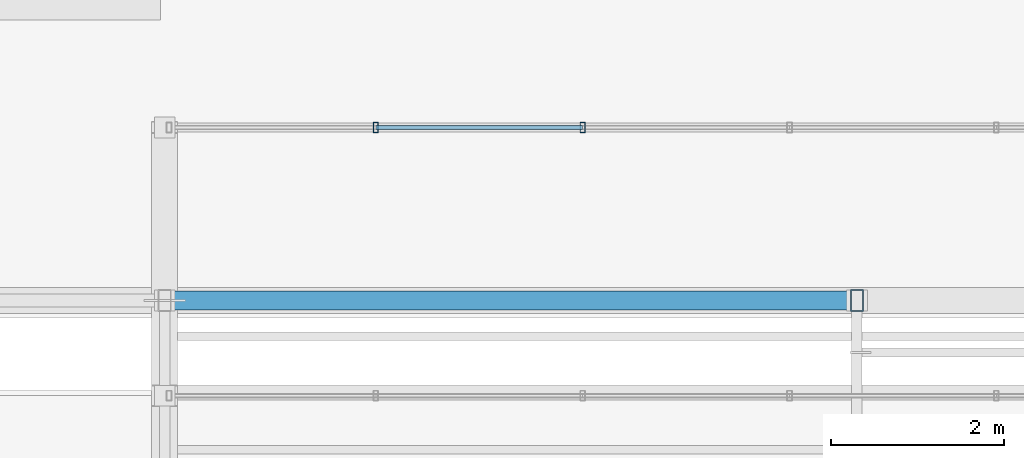
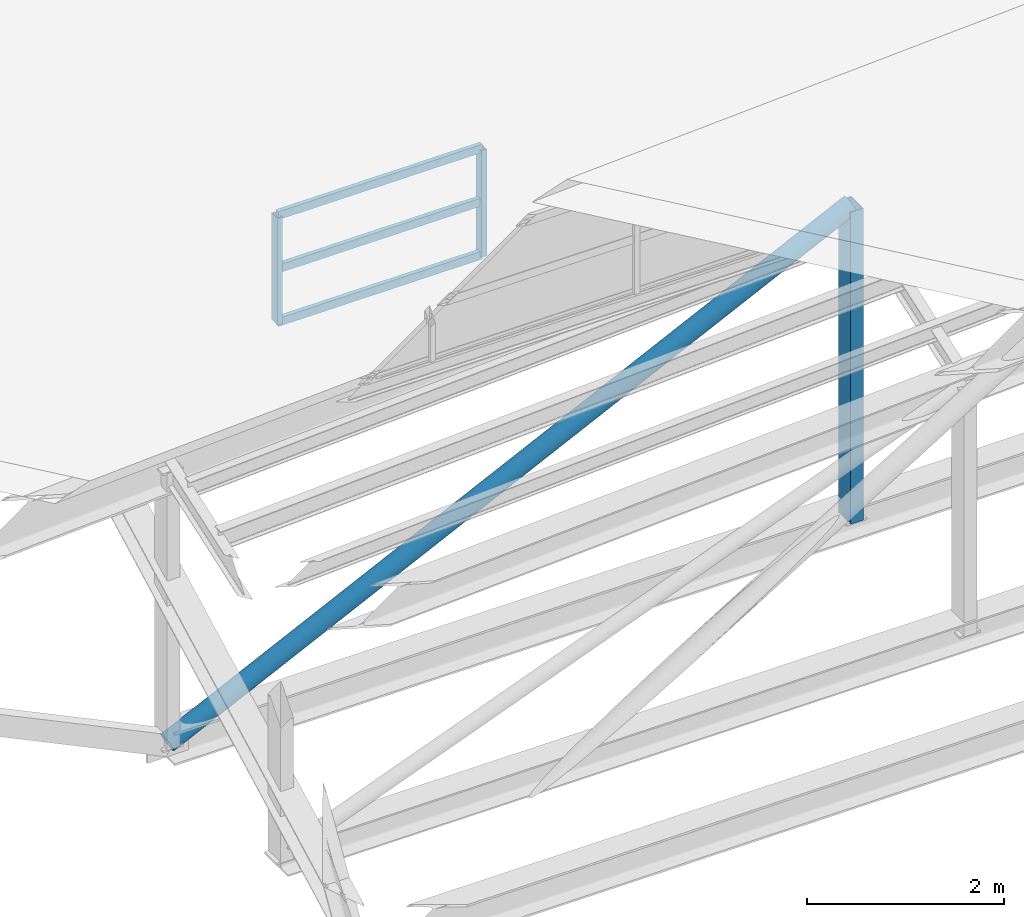
# One storey, part 100 of 141: 7 members, 1 element without a shape of its own.
"""IFC4 building model written with IfcOpenShell, lengths in metres."""

from ifc_helpers import new_model, si_unit, direction, frame, origin, origin_2d, place, context, subcontext, project, spatial, hollow_rectangle, hollow_circle, extrude, material, material_profile, profile_set, type_object, element, aggregate, save


model = new_model("IFC4")

# Units and contexts
model_context = context("Model", 3, precision=1e-05, world=origin(), true_north=direction((0.0, 1.0)))
body_context = subcontext(model_context, "Body", "Model", "MODEL_VIEW")
ifc_project = project(units=[si_unit("LENGTHUNIT", "METRE"), si_unit("AREAUNIT", "SQUARE_METRE"), si_unit("VOLUMEUNIT", "CUBIC_METRE"), si_unit("PLANEANGLEUNIT", "RADIAN"), si_unit("MASSUNIT", "GRAM", prefix="KILO")], contexts=[model_context])

# Site, building, storey
site_placement = place(None, origin())
site = spatial("IfcSite", under=ifc_project, at=site_placement, CompositionType="ELEMENT")
building_placement = place(site_placement, origin())
building = spatial("IfcBuilding", under=site, at=building_placement, Name="Sundkrona Museum", CompositionType="ELEMENT")
storey_placement = place(building_placement, frame((0.0, 0.0, 34.0)))
storey = spatial("IfcBuildingStorey", under=building, at=storey_placement, Name="RF", CompositionType="ELEMENT", Elevation=34.0)

# Curtain wall, members
ifc_material_1 = material(Name="Unitised Aluminium-Steel and Ceramic-Clad Curtain Walling", Category="steel")
curtain_wall_type = type_object("IfcCurtainWallType", Name="CW-SW-240x13", PredefinedType="NOTDEFINED", material=ifc_material_1)
curtain_wall_placement = place(storey_placement, origin())
curtain_wall = element("IfcCurtainWall", 1, at=curtain_wall_placement, inside=storey, type_object=curtain_wall_type, Name="Sawtooth Bay 7 West North-Light Clerestory", PredefinedType="NOTDEFINED")
ifc_material_2 = material(Name="Aluminium EN AW-6060 T66", Category="aluminium")
ifc_material_profile_1 = material_profile(ifc_material_2, hollow_rectangle(XDim=0.06005859375, YDim=0.1201171875, WallThickness=0.0048828125, at=origin_2d()), Name="RHS 120x60x5.0")
ifc_profile_set_1 = profile_set([ifc_material_profile_1], Name="Aluminium EN AW-6060 T66")
member_type_1 = type_object("IfcMemberType", Name="ML-120", PredefinedType="MULLION", material=ifc_profile_set_1)
member_1_placement = place(storey_placement, frame((122.43994140625, 45.800048828125, 2.89306640625), z_axis=(0.0, 0.0, 1.0), x_axis=(1.0, 0.0, 0.0)))
member_1 = element("IfcMember", 2, at=member_1_placement, type_object=member_type_1, Name="CW-RF-SAW-07W Mullion 02", PredefinedType="MULLION", context=body_context, shape_type="SweptSolid", body=[
    extrude(hollow_rectangle(XDim=0.06005859375, YDim=0.1201171875, WallThickness=0.0048828125, at=origin_2d()), origin(), (0.0, 0.0, 1.0), 1.31982421875),
])
member_2_placement = place(storey_placement, frame((124.830078125, 45.800048828125, 2.89306640625), z_axis=(0.0, 0.0, 1.0), x_axis=(1.0, 0.0, 0.0)))
member_2 = element("IfcMember", 3, at=member_2_placement, type_object=member_type_1, Name="CW-RF-SAW-07W Mullion 03", PredefinedType="MULLION", context=body_context, shape_type="SweptSolid", body=[
    extrude(hollow_rectangle(XDim=0.06005859375, YDim=0.1201171875, WallThickness=0.0048828125, at=origin_2d()), origin(), (0.0, 0.0, 1.0), 1.31982421875),
])

# Members
ifc_material_3 = material(Name="Steel S355J2", Category="steel")
ifc_material_profile_2 = material_profile(ifc_material_3, hollow_circle(Radius=0.109619140625, WallThickness=0.010009765625, at=origin_2d()), Name="CHS 219.1x10.0")
ifc_profile_set_2 = profile_set([ifc_material_profile_2], Name="Steel S355J2")
member_type_2 = type_object("IfcMemberType", Name="ST-CHS219", PredefinedType="STRUT", material=ifc_profile_set_2)
member_3_placement = place(storey_placement, frame((120.0, 43.800048828125, -0.25), z_axis=(0.900734881966, 0.0, 0.434369281153), x_axis=(0.0, 1.0, 0.0)))
element("IfcMember", 4, at=member_3_placement, inside=storey, type_object=member_type_2, Name="RFS-1 Sawtooth Truss 7 Web Strut 1", PredefinedType="STRUT", context=body_context, shape_type="SweptSolid", body=[
    extrude(hollow_circle(Radius=0.109619140625, WallThickness=0.010009765625, at=origin_2d()), origin(), (0.0, 0.0, 1.0), 8.881591796875),
])
ifc_material_profile_3 = material_profile(ifc_material_3, hollow_rectangle(XDim=0.14990234375, YDim=0.25, WallThickness=0.010009765625, at=origin_2d()), Name="RHS 250x150x10.0")
ifc_profile_set_3 = profile_set([ifc_material_profile_3], Name="Steel S355J2")
member_type_3 = type_object("IfcMemberType", Name="ST-RHS250", PredefinedType="STRUT", material=ifc_profile_set_3)
member_4_placement = place(storey_placement, frame((128.0, 43.800048828125, -0.25), z_axis=(0.0, 0.0, 1.0), x_axis=(1.0, 0.0, 0.0)))
element("IfcMember", 5, at=member_4_placement, inside=storey, type_object=member_type_3, Name="RFS-1 Sawtooth Truss 7 Vertical Post 2", PredefinedType="STRUT", context=body_context, shape_type="SweptSolid", body=[
    extrude(hollow_rectangle(XDim=0.14990234375, YDim=0.25, WallThickness=0.010009765625, at=origin_2d()), origin(), (0.0, 0.0, 1.0), 3.85791015625),
])

# Member
ifc_material_profile_4 = material_profile(ifc_material_2, hollow_rectangle(XDim=0.050048828125, YDim=0.10009765625, WallThickness=0.0048828125, at=origin_2d()), Name="RHS 100x50x5.0")
ifc_profile_set_4 = profile_set([ifc_material_profile_4], Name="Aluminium EN AW-6060 T66")
member_type_4 = type_object("IfcMemberType", Name="TR-100", PredefinedType="USERDEFINED", material=ifc_profile_set_4)
member_5_placement = place(storey_placement, frame((122.43994140625, 45.800048828125, 2.89306640625), z_axis=(1.0, 0.0, 0.0), x_axis=(0.0, 1.0, 0.0)))
member_5 = element("IfcMember", 6, at=member_5_placement, type_object=member_type_4, Name="CW-RF-SAW-07W Transom 04", ObjectType="TRANSOM", PredefinedType="USERDEFINED", context=body_context, shape_type="SweptSolid", body=[
    extrude(hollow_rectangle(XDim=0.050048828125, YDim=0.10009765625, WallThickness=0.0048828125, at=origin_2d()), origin(), (0.0, 0.0, 1.0), 2.39013671875),
])

member_6_placement = place(storey_placement, frame((122.43994140625, 45.800048828125, 3.552978515625), z_axis=(1.0, 0.0, 0.0), x_axis=(0.0, 1.0, 0.0)))
member_6 = element("IfcMember", 7, at=member_6_placement, type_object=member_type_4, Name="CW-RF-SAW-07W Transom 05", ObjectType="TRANSOM", PredefinedType="USERDEFINED", context=body_context, shape_type="SweptSolid", body=[
    extrude(hollow_rectangle(XDim=0.050048828125, YDim=0.10009765625, WallThickness=0.0048828125, at=origin_2d()), origin(), (0.0, 0.0, 1.0), 2.39013671875),
])

member_7_placement = place(storey_placement, frame((122.43994140625, 45.800048828125, 4.212890625), z_axis=(1.0, 0.0, 0.0), x_axis=(0.0, 1.0, 0.0)))
member_7 = element("IfcMember", 8, at=member_7_placement, type_object=member_type_4, Name="CW-RF-SAW-07W Transom 06", ObjectType="TRANSOM", PredefinedType="USERDEFINED", context=body_context, shape_type="SweptSolid", body=[
    extrude(hollow_rectangle(XDim=0.050048828125, YDim=0.10009765625, WallThickness=0.0048828125, at=origin_2d()), origin(), (0.0, 0.0, 1.0), 2.39013671875),
])

aggregate(curtain_wall, [member_1, member_2, member_5, member_6, member_7])

save(model, "model.ifc")
